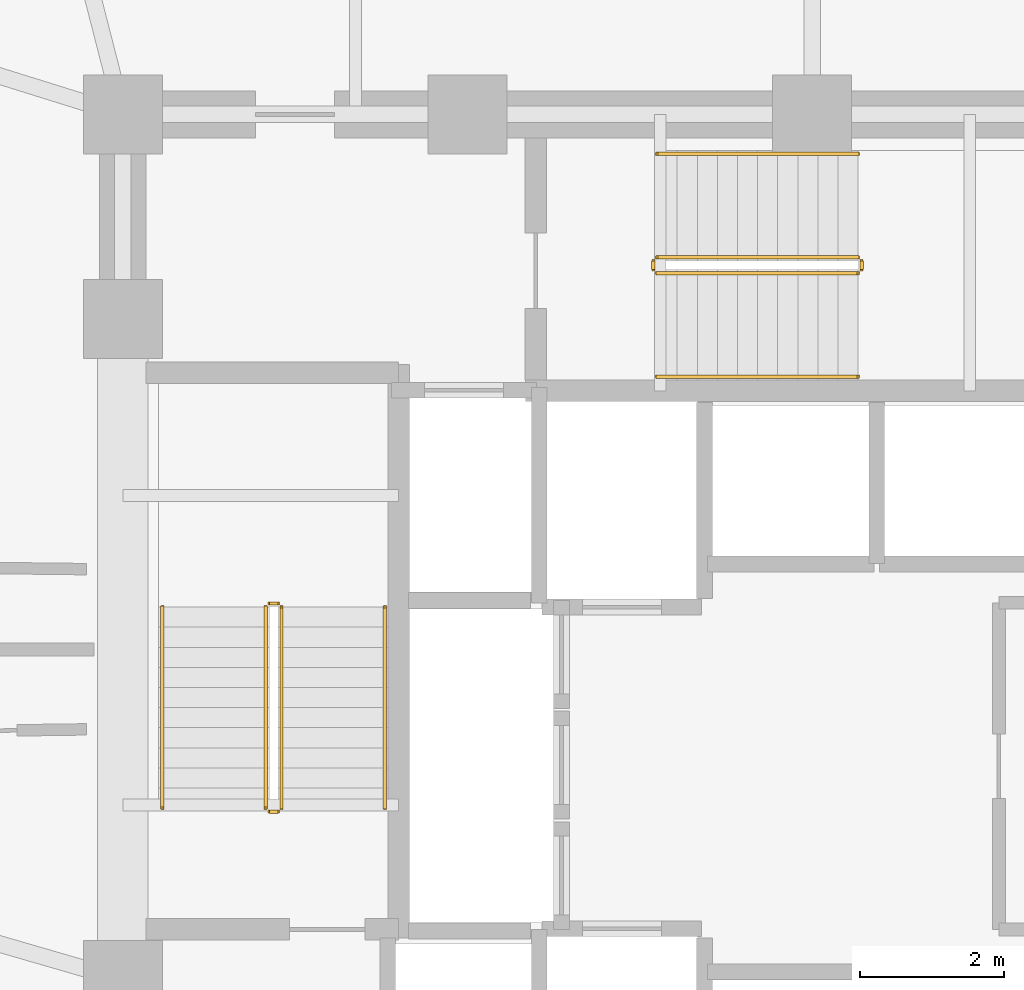
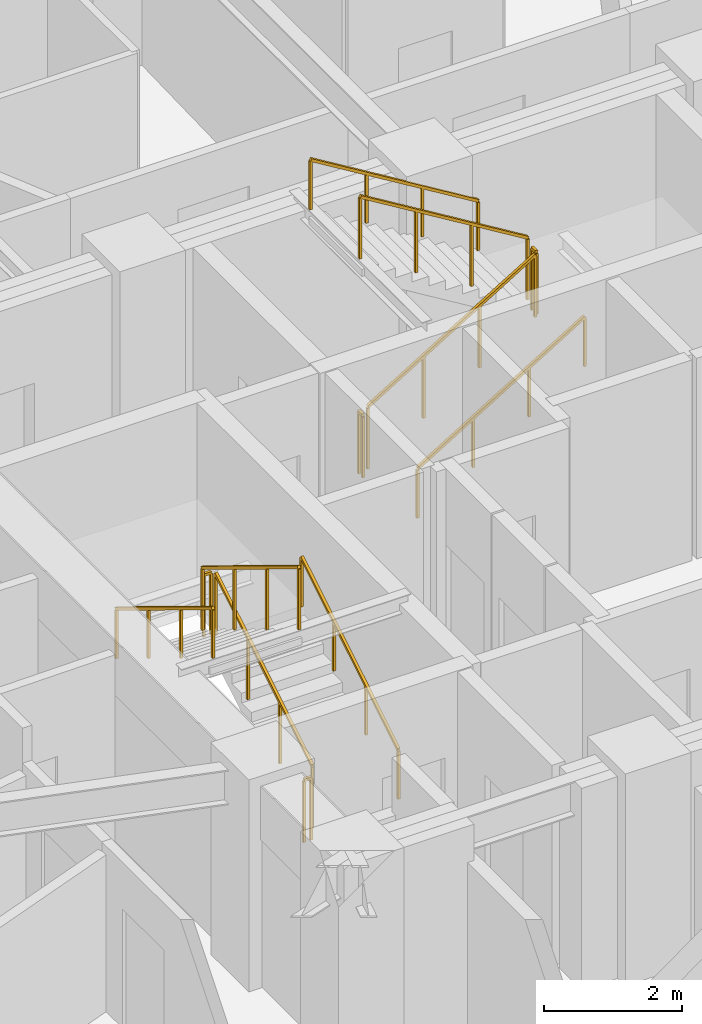
# One storey, part 25 of 27: 12 railings.
"""IFC4 building model written with IfcOpenShell, lengths in metres."""

from ifc_helpers import new_model, si_unit, direction, frame, origin, origin_2d, place, context, subcontext, project, spatial, rectangle, extrude, material, type_object, element, save


model = new_model("IFC4")

# Units and contexts
model_context = context("Model", 3, precision=1e-05, world=origin(), true_north=direction((0.0, 1.0)))
body_context = subcontext(model_context, "Body", "Model", "MODEL_VIEW")
ifc_project = project(units=[si_unit("LENGTHUNIT", "METRE"), si_unit("AREAUNIT", "SQUARE_METRE"), si_unit("VOLUMEUNIT", "CUBIC_METRE"), si_unit("PLANEANGLEUNIT", "RADIAN"), si_unit("MASSUNIT", "GRAM", prefix="KILO")], contexts=[model_context])

# Site, building, storey
site_placement = place(None, origin())
site = spatial("IfcSite", under=ifc_project, at=site_placement, CompositionType="ELEMENT")
building_placement = place(site_placement, origin())
building = spatial("IfcBuilding", under=site, at=building_placement, Name="Vantalir Tower", CompositionType="ELEMENT")
storey_placement = place(building_placement, frame((0.0, 0.0, 27.0)))
storey = spatial("IfcBuildingStorey", under=building, at=storey_placement, Name="L05", CompositionType="ELEMENT", Elevation=27.0)

# Railings
ifc_material_1 = material(Name="Anodised aluminium and stainless steel guard", Category="steel")
railing_type_1 = type_object("IfcRailingType", Name="RAL-GUARD-1120", PredefinedType="GUARDRAIL", material=ifc_material_1)
railing_1_placement = place(storey_placement, frame((24.110107421875, 22.7900390625, 0.17041015625)))
element("IfcRailing", 1, at=railing_1_placement, inside=storey, type_object=railing_type_1, Name="L05 ST1 stair guard 1", PredefinedType="GUARDRAIL", context=body_context, shape_type="SweptSolid", body=[
    extrude(rectangle(XDim=0.048095703125, YDim=0.048095703125, at=origin_2d()), frame((0.0, 0.0, 1.09619140625), z_axis=(0.0, 0.854169791009, 0.51999420009), x_axis=(-1.0, 0.0, 0.0)), (0.0, 0.0, 1.0), 3.278076171875),
    extrude(rectangle(XDim=0.0419921875, YDim=0.0419921875, at=origin_2d()), origin(), (0.0, 0.0, 1.0), 1.072021484375),
    extrude(rectangle(XDim=0.0419921875, YDim=0.0419921875, at=origin_2d()), frame((0.0, 0.933349609375, 0.568115234375)), (0.0, 0.0, 1.0), 1.072021484375),
    extrude(rectangle(XDim=0.0419921875, YDim=0.0419921875, at=origin_2d()), frame((0.0, 1.86669921875, 1.136474609375)), (0.0, 0.0, 1.0), 1.072021484375),
    extrude(rectangle(XDim=0.0419921875, YDim=0.0419921875, at=origin_2d()), frame((0.0, 2.800048828125, 1.70458984375)), (0.0, 0.0, 1.0), 1.072021484375),
])
railing_2_placement = place(storey_placement, frame((24.06005859375, 25.639892578125, 1.875)))
element("IfcRailing", 2, at=railing_2_placement, inside=storey, type_object=railing_type_1, Name="L05 ST1 stair guard 2", PredefinedType="GUARDRAIL", context=body_context, shape_type="SweptSolid", body=[
    extrude(rectangle(XDim=0.048095703125, YDim=0.048095703125, at=origin_2d()), frame((0.0, 0.0, 1.09619140625), z_axis=(-1.0, 0.0, 0.0), x_axis=(0.0, -1.0, 0.0)), (0.0, 0.0, 1.0), 0.1201171875),
    extrude(rectangle(XDim=0.0419921875, YDim=0.0419921875, at=origin_2d()), origin(), (0.0, 0.0, 1.0), 1.072021484375),
    extrude(rectangle(XDim=0.0419921875, YDim=0.0419921875, at=origin_2d()), frame((-0.1201171875, 0.0, 0.0)), (0.0, 0.0, 1.0), 1.072021484375),
])
railing_3_placement = place(storey_placement, frame((23.889892578125, 25.590087890625, 2.04541015625)))
element("IfcRailing", 3, at=railing_3_placement, inside=storey, type_object=railing_type_1, Name="L05 ST1 stair guard 3", PredefinedType="GUARDRAIL", context=body_context, shape_type="SweptSolid", body=[
    extrude(rectangle(XDim=0.048095703125, YDim=0.048095703125, at=origin_2d()), frame((0.0, 0.0, 1.09619140625), z_axis=(0.0, -0.854169791009, 0.51999420009), x_axis=(1.0, 0.0, 0.0)), (0.0, 0.0, 1.0), 3.278076171875),
    extrude(rectangle(XDim=0.0419921875, YDim=0.0419921875, at=origin_2d()), origin(), (0.0, 0.0, 1.0), 1.072021484375),
    extrude(rectangle(XDim=0.0419921875, YDim=0.0419921875, at=origin_2d()), frame((0.0, -0.933349609375, 0.568115234375)), (0.0, 0.0, 1.0), 1.072021484375),
    extrude(rectangle(XDim=0.0419921875, YDim=0.0419921875, at=origin_2d()), frame((0.0, -1.86669921875, 1.136474609375)), (0.0, 0.0, 1.0), 1.072021484375),
    extrude(rectangle(XDim=0.0419921875, YDim=0.0419921875, at=origin_2d()), frame((0.0, -2.800048828125, 1.70458984375)), (0.0, 0.0, 1.0), 1.072021484375),
])
railing_4_placement = place(storey_placement, frame((24.06005859375, 22.739990234375, 0.0)))
element("IfcRailing", 4, at=railing_4_placement, inside=storey, type_object=railing_type_1, Name="L05 ST1 stair guard 4", PredefinedType="GUARDRAIL", context=body_context, shape_type="SweptSolid", body=[
    extrude(rectangle(XDim=0.048095703125, YDim=0.048095703125, at=origin_2d()), frame((0.0, 0.0, 1.09619140625), z_axis=(-1.0, 0.0, 0.0), x_axis=(0.0, -1.0, 0.0)), (0.0, 0.0, 1.0), 0.1201171875),
    extrude(rectangle(XDim=0.0419921875, YDim=0.0419921875, at=origin_2d()), origin(), (0.0, 0.0, 1.0), 1.072021484375),
    extrude(rectangle(XDim=0.0419921875, YDim=0.0419921875, at=origin_2d()), frame((-0.1201171875, 0.0, 0.0)), (0.0, 0.0, 1.0), 1.072021484375),
])
railing_5_placement = place(storey_placement, frame((29.340087890625, 30.239990234375, 0.17041015625)))
element("IfcRailing", 5, at=railing_5_placement, inside=storey, type_object=railing_type_1, Name="L05 ST3 stair guard 1", PredefinedType="GUARDRAIL", context=body_context, shape_type="SweptSolid", body=[
    extrude(rectangle(XDim=0.048095703125, YDim=0.048095703125, at=origin_2d()), frame((0.0, 0.0, 1.09619140625), z_axis=(0.854149651119, 0.0, 0.520027281489), x_axis=(0.0, 1.0, 0.0)), (0.0, 0.0, 1.0), 3.27783203125),
    extrude(rectangle(XDim=0.0419921875, YDim=0.0419921875, at=origin_2d()), origin(), (0.0, 0.0, 1.0), 1.072021484375),
    extrude(rectangle(XDim=0.0419921875, YDim=0.0419921875, at=origin_2d()), frame((0.933349609375, 0.0, 0.568115234375)), (0.0, 0.0, 1.0), 1.072021484375),
    extrude(rectangle(XDim=0.0419921875, YDim=0.0419921875, at=origin_2d()), frame((1.866455078125, 0.0, 1.136474609375)), (0.0, 0.0, 1.0), 1.072021484375),
    extrude(rectangle(XDim=0.0419921875, YDim=0.0419921875, at=origin_2d()), frame((2.7998046875, 0.0, 1.70458984375)), (0.0, 0.0, 1.0), 1.072021484375),
])
railing_6_placement = place(storey_placement, frame((32.18994140625, 30.2900390625, 1.875)))
element("IfcRailing", 6, at=railing_6_placement, inside=storey, type_object=railing_type_1, Name="L05 ST3 stair guard 2", PredefinedType="GUARDRAIL", context=body_context, shape_type="SweptSolid", body=[
    extrude(rectangle(XDim=0.048095703125, YDim=0.048095703125, at=origin_2d()), frame((0.0, 0.0, 1.09619140625), z_axis=(0.0, 1.0, 0.0), x_axis=(-1.0, 0.0, 0.0)), (0.0, 0.0, 1.0), 0.119873046875),
    extrude(rectangle(XDim=0.0419921875, YDim=0.0419921875, at=origin_2d()), origin(), (0.0, 0.0, 1.0), 1.072021484375),
    extrude(rectangle(XDim=0.0419921875, YDim=0.0419921875, at=origin_2d()), frame((0.0, 0.119873046875, 0.0)), (0.0, 0.0, 1.0), 1.072021484375),
])
railing_7_placement = place(storey_placement, frame((32.139892578125, 30.4599609375, 2.04541015625)))
element("IfcRailing", 7, at=railing_7_placement, inside=storey, type_object=railing_type_1, Name="L05 ST3 stair guard 3", PredefinedType="GUARDRAIL", context=body_context, shape_type="SweptSolid", body=[
    extrude(rectangle(XDim=0.048095703125, YDim=0.048095703125, at=origin_2d()), frame((0.0, 0.0, 1.09619140625), z_axis=(-0.854149651119, 0.0, 0.520027281489), x_axis=(0.0, -1.0, 0.0)), (0.0, 0.0, 1.0), 3.27783203125),
    extrude(rectangle(XDim=0.0419921875, YDim=0.0419921875, at=origin_2d()), origin(), (0.0, 0.0, 1.0), 1.072021484375),
    extrude(rectangle(XDim=0.0419921875, YDim=0.0419921875, at=origin_2d()), frame((-0.933349609375, 0.0, 0.568115234375)), (0.0, 0.0, 1.0), 1.072021484375),
    extrude(rectangle(XDim=0.0419921875, YDim=0.0419921875, at=origin_2d()), frame((-1.866455078125, 0.0, 1.136474609375)), (0.0, 0.0, 1.0), 1.072021484375),
    extrude(rectangle(XDim=0.0419921875, YDim=0.0419921875, at=origin_2d()), frame((-2.7998046875, 0.0, 1.70458984375)), (0.0, 0.0, 1.0), 1.072021484375),
])
railing_8_placement = place(storey_placement, frame((29.2900390625, 30.2900390625, 0.0)))
element("IfcRailing", 8, at=railing_8_placement, inside=storey, type_object=railing_type_1, Name="L05 ST3 stair guard 4", PredefinedType="GUARDRAIL", context=body_context, shape_type="SweptSolid", body=[
    extrude(rectangle(XDim=0.048095703125, YDim=0.048095703125, at=origin_2d()), frame((0.0, 0.0, 1.09619140625), z_axis=(0.0, 1.0, 0.0), x_axis=(-1.0, 0.0, 0.0)), (0.0, 0.0, 1.0), 0.119873046875),
    extrude(rectangle(XDim=0.0419921875, YDim=0.0419921875, at=origin_2d()), origin(), (0.0, 0.0, 1.0), 1.072021484375),
    extrude(rectangle(XDim=0.0419921875, YDim=0.0419921875, at=origin_2d()), frame((0.0, 0.119873046875, 0.0)), (0.0, 0.0, 1.0), 1.072021484375),
])
ifc_material_2 = material(Name="Brushed stainless steel tubular handrail", Category="steel")
railing_type_2 = type_object("IfcRailingType", Name="RAL-HANDRAIL-900", PredefinedType="HANDRAIL", material=ifc_material_2)
railing_9_placement = place(storey_placement, frame((25.550048828125, 22.7900390625, 0.17041015625)))
element("IfcRailing", 9, at=railing_9_placement, inside=storey, type_object=railing_type_2, Name="L05 ST1 stair handrail 1", PredefinedType="HANDRAIL", context=body_context, shape_type="SweptSolid", body=[
    extrude(rectangle(XDim=0.048095703125, YDim=0.048095703125, at=origin_2d()), frame((0.0, 0.0, 0.8759765625), z_axis=(0.0, 0.854169791009, 0.51999420009), x_axis=(-1.0, 0.0, 0.0)), (0.0, 0.0, 1.0), 3.278076171875),
    extrude(rectangle(XDim=0.0419921875, YDim=0.0419921875, at=origin_2d()), origin(), (0.0, 0.0, 1.0), 0.851806640625),
    extrude(rectangle(XDim=0.0419921875, YDim=0.0419921875, at=origin_2d()), frame((0.0, 0.933349609375, 0.568115234375)), (0.0, 0.0, 1.0), 0.851806640625),
    extrude(rectangle(XDim=0.0419921875, YDim=0.0419921875, at=origin_2d()), frame((0.0, 1.86669921875, 1.136474609375)), (0.0, 0.0, 1.0), 0.851806640625),
    extrude(rectangle(XDim=0.0419921875, YDim=0.0419921875, at=origin_2d()), frame((0.0, 2.800048828125, 1.70458984375)), (0.0, 0.0, 1.0), 0.851806640625),
])
railing_10_placement = place(storey_placement, frame((22.449951171875, 25.590087890625, 2.04541015625)))
element("IfcRailing", 10, at=railing_10_placement, inside=storey, type_object=railing_type_2, Name="L05 ST1 stair handrail 2", PredefinedType="HANDRAIL", context=body_context, shape_type="SweptSolid", body=[
    extrude(rectangle(XDim=0.048095703125, YDim=0.048095703125, at=origin_2d()), frame((0.0, 0.0, 0.8759765625), z_axis=(0.0, -0.854169791009, 0.51999420009), x_axis=(1.0, 0.0, 0.0)), (0.0, 0.0, 1.0), 3.278076171875),
    extrude(rectangle(XDim=0.0419921875, YDim=0.0419921875, at=origin_2d()), origin(), (0.0, 0.0, 1.0), 0.851806640625),
    extrude(rectangle(XDim=0.0419921875, YDim=0.0419921875, at=origin_2d()), frame((0.0, -0.933349609375, 0.568115234375)), (0.0, 0.0, 1.0), 0.851806640625),
    extrude(rectangle(XDim=0.0419921875, YDim=0.0419921875, at=origin_2d()), frame((0.0, -1.86669921875, 1.136474609375)), (0.0, 0.0, 1.0), 0.851806640625),
    extrude(rectangle(XDim=0.0419921875, YDim=0.0419921875, at=origin_2d()), frame((0.0, -2.800048828125, 1.70458984375)), (0.0, 0.0, 1.0), 0.851806640625),
])
railing_11_placement = place(storey_placement, frame((29.340087890625, 28.800048828125, 0.17041015625)))
element("IfcRailing", 11, at=railing_11_placement, inside=storey, type_object=railing_type_2, Name="L05 ST3 stair handrail 1", PredefinedType="HANDRAIL", context=body_context, shape_type="SweptSolid", body=[
    extrude(rectangle(XDim=0.048095703125, YDim=0.048095703125, at=origin_2d()), frame((0.0, 0.0, 0.8759765625), z_axis=(0.854149651119, 0.0, 0.520027281489), x_axis=(0.0, 1.0, 0.0)), (0.0, 0.0, 1.0), 3.27783203125),
    extrude(rectangle(XDim=0.0419921875, YDim=0.0419921875, at=origin_2d()), origin(), (0.0, 0.0, 1.0), 0.851806640625),
    extrude(rectangle(XDim=0.0419921875, YDim=0.0419921875, at=origin_2d()), frame((0.933349609375, 0.0, 0.568115234375)), (0.0, 0.0, 1.0), 0.851806640625),
    extrude(rectangle(XDim=0.0419921875, YDim=0.0419921875, at=origin_2d()), frame((1.866455078125, 0.0, 1.136474609375)), (0.0, 0.0, 1.0), 0.851806640625),
    extrude(rectangle(XDim=0.0419921875, YDim=0.0419921875, at=origin_2d()), frame((2.7998046875, 0.0, 1.70458984375)), (0.0, 0.0, 1.0), 0.851806640625),
])
railing_12_placement = place(storey_placement, frame((32.139892578125, 31.89990234375, 2.04541015625)))
element("IfcRailing", 12, at=railing_12_placement, inside=storey, type_object=railing_type_2, Name="L05 ST3 stair handrail 2", PredefinedType="HANDRAIL", context=body_context, shape_type="SweptSolid", body=[
    extrude(rectangle(XDim=0.048095703125, YDim=0.048095703125, at=origin_2d()), frame((0.0, 0.0, 0.8759765625), z_axis=(-0.854149651119, 0.0, 0.520027281489), x_axis=(0.0, -1.0, 0.0)), (0.0, 0.0, 1.0), 3.27783203125),
    extrude(rectangle(XDim=0.0419921875, YDim=0.0419921875, at=origin_2d()), origin(), (0.0, 0.0, 1.0), 0.851806640625),
    extrude(rectangle(XDim=0.0419921875, YDim=0.0419921875, at=origin_2d()), frame((-0.933349609375, 0.0, 0.568115234375)), (0.0, 0.0, 1.0), 0.851806640625),
    extrude(rectangle(XDim=0.0419921875, YDim=0.0419921875, at=origin_2d()), frame((-1.866455078125, 0.0, 1.136474609375)), (0.0, 0.0, 1.0), 0.851806640625),
    extrude(rectangle(XDim=0.0419921875, YDim=0.0419921875, at=origin_2d()), frame((-2.7998046875, 0.0, 1.70458984375)), (0.0, 0.0, 1.0), 0.851806640625),
])

save(model, "model.ifc")
